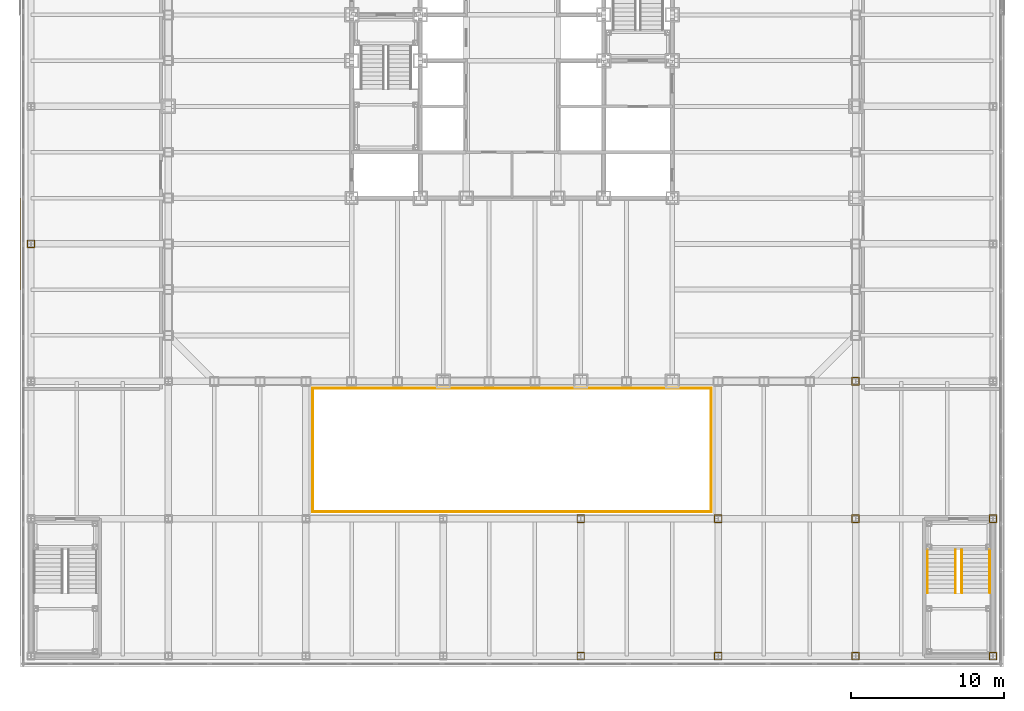
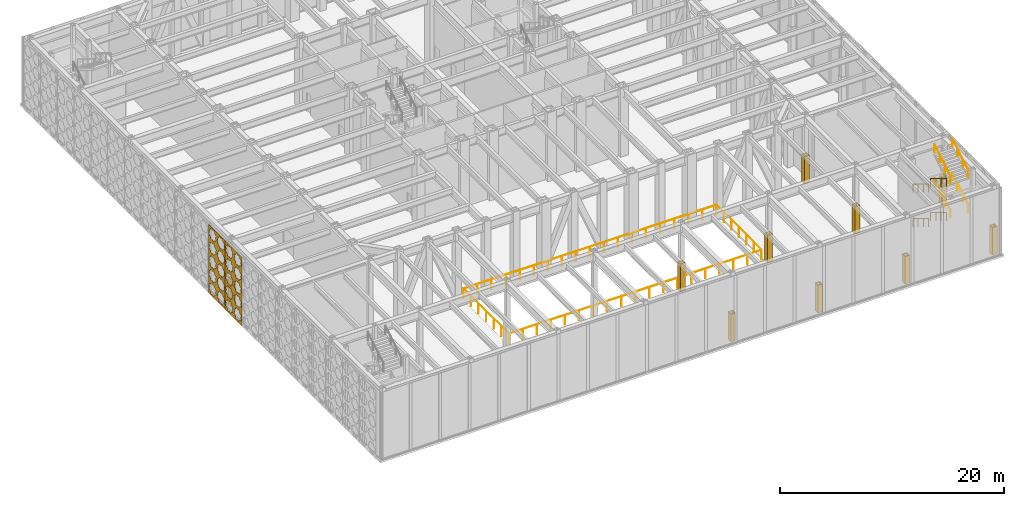
# One storey, part 26 of 34: 10 coverings, 10 railings, 2 shading devices.
"""IFC4 building model written with IfcOpenShell, lengths in metres."""

from ifc_helpers import new_model, si_unit, direction, frame, origin, origin_2d, place, context, subcontext, project, spatial, polyline, circle, outline, extrude, material, layer, layer_set, type_object, element, save


model = new_model("IFC4")

# Units and contexts
model_context = context("Model", 3, precision=1e-05, world=origin(), true_north=direction((0.0, 1.0)))
body_context = subcontext(model_context, "Body", "Model", "MODEL_VIEW")
ifc_project = project(units=[si_unit("LENGTHUNIT", "METRE"), si_unit("AREAUNIT", "SQUARE_METRE"), si_unit("VOLUMEUNIT", "CUBIC_METRE"), si_unit("PLANEANGLEUNIT", "RADIAN"), si_unit("MASSUNIT", "GRAM", prefix="KILO")], contexts=[model_context])

# Site, building, storey
site_placement = place(None, origin())
site = spatial("IfcSite", under=ifc_project, at=site_placement, CompositionType="ELEMENT")
building_placement = place(site_placement, origin())
building = spatial("IfcBuilding", under=site, at=building_placement, Name="Chuquiago Exchange Tower", CompositionType="ELEMENT")
storey_placement = place(building_placement, frame((0.0, 0.0, 6.0)))
storey = spatial("IfcBuildingStorey", under=building, at=storey_placement, Name="L01", CompositionType="ELEMENT", Elevation=6.0)

# Coverings
ifc_material_1 = material(Name="Pale metal sheet casing on rails", Category="aluminium")
ifc_layer_1 = layer(ifc_material_1, 0.050048828125)
ifc_layer_set_1 = layer_set([ifc_layer_1], Name="CS1 column casing 50")
covering_type = type_object("IfcCoveringType", Name="CS1 column casing 50", PredefinedType="CLADDING", material=ifc_layer_set_1)
covering_1_placement = place(storey_placement, origin())
element("IfcCovering", 1, at=covering_1_placement, inside=storey, type_object=covering_type, Name="Column casing L01", PredefinedType="CLADDING", context=body_context, shape_type="SweptSolid", body=[
    extrude(outline(polyline([(-9.255615234375, 8.73291015625), (-8.744384765625, 8.73291015625), (-8.744384765625, 9.26708984375), (-9.255615234375, 9.26708984375), (-9.255615234375, 8.73291015625)]), holes=[polyline([(-9.205810546875, 8.78271484375), (-9.205810546875, 9.21728515625), (-8.794189453125, 9.21728515625), (-8.794189453125, 8.78271484375), (-9.205810546875, 8.78271484375)])]), origin(), (0.0, 0.0, 1.0), 3.0),
])
covering_2_placement = place(storey_placement, origin())
element("IfcCovering", 2, at=covering_2_placement, inside=storey, type_object=covering_type, Name="Column casing L01", PredefinedType="CLADDING", context=body_context, shape_type="SweptSolid", body=[
    extrude(outline(polyline([(26.744384765625, -18.26708984375), (27.255615234375, -18.26708984375), (27.255615234375, -17.73291015625), (26.744384765625, -17.73291015625), (26.744384765625, -18.26708984375)]), holes=[polyline([(26.794189453125, -18.21728515625), (26.794189453125, -17.78271484375), (27.205810546875, -17.78271484375), (27.205810546875, -18.21728515625), (26.794189453125, -18.21728515625)])]), origin(), (0.0, 0.0, 1.0), 3.0),
])
covering_3_placement = place(storey_placement, origin())
element("IfcCovering", 3, at=covering_3_placement, inside=storey, type_object=covering_type, Name="Column casing L01", PredefinedType="CLADDING", context=body_context, shape_type="SweptSolid", body=[
    extrude(outline(polyline([(26.744384765625, -9.26708984375), (27.255615234375, -9.26708984375), (27.255615234375, -8.73291015625), (26.744384765625, -8.73291015625), (26.744384765625, -9.26708984375)]), holes=[polyline([(26.794189453125, -9.21728515625), (26.794189453125, -8.78271484375), (27.205810546875, -8.78271484375), (27.205810546875, -9.21728515625), (26.794189453125, -9.21728515625)])]), origin(), (0.0, 0.0, 1.0), 3.0),
])
covering_4_placement = place(storey_placement, origin())
element("IfcCovering", 4, at=covering_4_placement, inside=storey, type_object=covering_type, Name="Column casing L01", PredefinedType="CLADDING", context=body_context, shape_type="SweptSolid", body=[
    extrude(outline(polyline([(35.744384765625, -18.26708984375), (36.255615234375, -18.26708984375), (36.255615234375, -17.73291015625), (35.744384765625, -17.73291015625), (35.744384765625, -18.26708984375)]), holes=[polyline([(35.794189453125, -18.21728515625), (35.794189453125, -17.78271484375), (36.205810546875, -17.78271484375), (36.205810546875, -18.21728515625), (35.794189453125, -18.21728515625)])]), origin(), (0.0, 0.0, 1.0), 3.0),
])
covering_5_placement = place(storey_placement, origin())
element("IfcCovering", 5, at=covering_5_placement, inside=storey, type_object=covering_type, Name="Column casing L01", PredefinedType="CLADDING", context=body_context, shape_type="SweptSolid", body=[
    extrude(outline(polyline([(35.744384765625, -9.26708984375), (36.255615234375, -9.26708984375), (36.255615234375, -8.73291015625), (35.744384765625, -8.73291015625), (35.744384765625, -9.26708984375)]), holes=[polyline([(35.794189453125, -9.21728515625), (35.794189453125, -8.78271484375), (36.205810546875, -8.78271484375), (36.205810546875, -9.21728515625), (35.794189453125, -9.21728515625)])]), origin(), (0.0, 0.0, 1.0), 3.0),
])
covering_6_placement = place(storey_placement, origin())
element("IfcCovering", 6, at=covering_6_placement, inside=storey, type_object=covering_type, Name="Column casing L01", PredefinedType="CLADDING", context=body_context, shape_type="SweptSolid", body=[
    extrude(outline(polyline([(44.744384765625, -18.26708984375), (45.255615234375, -18.26708984375), (45.255615234375, -17.73291015625), (44.744384765625, -17.73291015625), (44.744384765625, -18.26708984375)]), holes=[polyline([(44.794189453125, -18.21728515625), (44.794189453125, -17.78271484375), (45.205810546875, -17.78271484375), (45.205810546875, -18.21728515625), (44.794189453125, -18.21728515625)])]), origin(), (0.0, 0.0, 1.0), 3.0),
])
covering_7_placement = place(storey_placement, origin())
element("IfcCovering", 7, at=covering_7_placement, inside=storey, type_object=covering_type, Name="Column casing L01", PredefinedType="CLADDING", context=body_context, shape_type="SweptSolid", body=[
    extrude(outline(polyline([(44.744384765625, -9.26708984375), (45.255615234375, -9.26708984375), (45.255615234375, -8.73291015625), (44.744384765625, -8.73291015625), (44.744384765625, -9.26708984375)]), holes=[polyline([(44.794189453125, -9.21728515625), (44.794189453125, -8.78271484375), (45.205810546875, -8.78271484375), (45.205810546875, -9.21728515625), (44.794189453125, -9.21728515625)])]), origin(), (0.0, 0.0, 1.0), 3.0),
])
covering_8_placement = place(storey_placement, origin())
element("IfcCovering", 8, at=covering_8_placement, inside=storey, type_object=covering_type, Name="Column casing L01", PredefinedType="CLADDING", context=body_context, shape_type="SweptSolid", body=[
    extrude(outline(polyline([(44.744384765625, -0.26708984375), (45.255615234375, -0.26708984375), (45.255615234375, 0.26708984375), (44.744384765625, 0.26708984375), (44.744384765625, -0.26708984375)]), holes=[polyline([(44.794189453125, -0.21728515625), (44.794189453125, 0.21728515625), (45.205810546875, 0.21728515625), (45.205810546875, -0.21728515625), (44.794189453125, -0.21728515625)])]), origin(), (0.0, 0.0, 1.0), 3.0),
])
covering_9_placement = place(storey_placement, origin())
element("IfcCovering", 9, at=covering_9_placement, inside=storey, type_object=covering_type, Name="Column casing L01", PredefinedType="CLADDING", context=body_context, shape_type="SweptSolid", body=[
    extrude(outline(polyline([(53.744384765625, -18.26708984375), (54.255615234375, -18.26708984375), (54.255615234375, -17.73291015625), (53.744384765625, -17.73291015625), (53.744384765625, -18.26708984375)]), holes=[polyline([(53.794189453125, -18.21728515625), (53.794189453125, -17.78271484375), (54.205810546875, -17.78271484375), (54.205810546875, -18.21728515625), (53.794189453125, -18.21728515625)])]), origin(), (0.0, 0.0, 1.0), 3.0),
])
covering_10_placement = place(storey_placement, origin())
element("IfcCovering", 10, at=covering_10_placement, inside=storey, type_object=covering_type, Name="Column casing L01", PredefinedType="CLADDING", context=body_context, shape_type="SweptSolid", body=[
    extrude(outline(polyline([(53.744384765625, -9.26708984375), (54.255615234375, -9.26708984375), (54.255615234375, -8.73291015625), (53.744384765625, -8.73291015625), (53.744384765625, -9.26708984375)]), holes=[polyline([(53.794189453125, -9.21728515625), (53.794189453125, -8.78271484375), (54.205810546875, -8.78271484375), (54.205810546875, -9.21728515625), (53.794189453125, -9.21728515625)])]), origin(), (0.0, 0.0, 1.0), 3.0),
])

# Railings
ifc_material_2 = material(Name="Pale metal guard with safety glass infill", Category="glass")
railing_type_1 = type_object("IfcRailingType", Name="GR1 guard 1100", PredefinedType="GUARDRAIL", material=ifc_material_2)
railing_1_placement = place(storey_placement, frame((9.449951171875, -0.449951171875, 0.0)))
element("IfcRailing", 11, at=railing_1_placement, inside=storey, type_object=railing_type_1, Name="Atrium guard L01 west and south", PredefinedType="GUARDRAIL", context=body_context, shape_type="SweptSolid", body=[
    extrude(circle(Radius=0.02392578125, at=origin_2d()), frame((0.0, 0.0, 1.076171875), z_axis=(0.0, -1.0, 0.0), x_axis=(1.0, 0.0, 0.0)), (0.0, 0.0, 1.0), 8.10009765625),
    extrude(circle(Radius=0.02392578125, at=origin_2d()), frame((0.0, -8.10009765625, 1.076171875), z_axis=(1.0, 0.0, 0.0), x_axis=(0.0, 1.0, 0.0)), (0.0, 0.0, 1.0), 26.10009765625),
    extrude(circle(Radius=0.02099609375, at=origin_2d()), origin(), (0.0, 0.0, 1.0), 1.052001953125),
    extrude(circle(Radius=0.02099609375, at=origin_2d()), frame((0.0, -1.35009765625, 0.0)), (0.0, 0.0, 1.0), 1.052001953125),
    extrude(circle(Radius=0.02099609375, at=origin_2d()), frame((0.0, -2.699951171875, 0.0)), (0.0, 0.0, 1.0), 1.052001953125),
    extrude(circle(Radius=0.02099609375, at=origin_2d()), frame((0.0, -4.050048828125, 0.0)), (0.0, 0.0, 1.0), 1.052001953125),
    extrude(circle(Radius=0.02099609375, at=origin_2d()), frame((0.0, -5.400146484375, 0.0)), (0.0, 0.0, 1.0), 1.052001953125),
    extrude(circle(Radius=0.02099609375, at=origin_2d()), frame((0.0, -6.75, 0.0)), (0.0, 0.0, 1.0), 1.052001953125),
    extrude(circle(Radius=0.02099609375, at=origin_2d()), frame((0.0, -8.10009765625, 0.0)), (0.0, 0.0, 1.0), 1.052001953125),
    extrude(circle(Radius=0.02099609375, at=origin_2d()), frame((1.449951171875, -8.10009765625, 0.0)), (0.0, 0.0, 1.0), 1.052001953125),
    extrude(circle(Radius=0.02099609375, at=origin_2d()), frame((2.89990234375, -8.10009765625, 0.0)), (0.0, 0.0, 1.0), 1.052001953125),
    extrude(circle(Radius=0.02099609375, at=origin_2d()), frame((4.35009765625, -8.10009765625, 0.0)), (0.0, 0.0, 1.0), 1.052001953125),
    extrude(circle(Radius=0.02099609375, at=origin_2d()), frame((5.800048828125, -8.10009765625, 0.0)), (0.0, 0.0, 1.0), 1.052001953125),
    extrude(circle(Radius=0.02099609375, at=origin_2d()), frame((7.25, -8.10009765625, 0.0)), (0.0, 0.0, 1.0), 1.052001953125),
    extrude(circle(Radius=0.02099609375, at=origin_2d()), frame((8.699951171875, -8.10009765625, 0.0)), (0.0, 0.0, 1.0), 1.052001953125),
    extrude(circle(Radius=0.02099609375, at=origin_2d()), frame((10.150146484375, -8.10009765625, 0.0)), (0.0, 0.0, 1.0), 1.052001953125),
    extrude(circle(Radius=0.02099609375, at=origin_2d()), frame((11.60009765625, -8.10009765625, 0.0)), (0.0, 0.0, 1.0), 1.052001953125),
    extrude(circle(Radius=0.02099609375, at=origin_2d()), frame((13.050048828125, -8.10009765625, 0.0)), (0.0, 0.0, 1.0), 1.052001953125),
    extrude(circle(Radius=0.02099609375, at=origin_2d()), frame((14.5, -8.10009765625, 0.0)), (0.0, 0.0, 1.0), 1.052001953125),
    extrude(circle(Radius=0.02099609375, at=origin_2d()), frame((15.949951171875, -8.10009765625, 0.0)), (0.0, 0.0, 1.0), 1.052001953125),
    extrude(circle(Radius=0.02099609375, at=origin_2d()), frame((17.400146484375, -8.10009765625, 0.0)), (0.0, 0.0, 1.0), 1.052001953125),
    extrude(circle(Radius=0.02099609375, at=origin_2d()), frame((18.85009765625, -8.10009765625, 0.0)), (0.0, 0.0, 1.0), 1.052001953125),
    extrude(circle(Radius=0.02099609375, at=origin_2d()), frame((20.300048828125, -8.10009765625, 0.0)), (0.0, 0.0, 1.0), 1.052001953125),
    extrude(circle(Radius=0.02099609375, at=origin_2d()), frame((21.75, -8.10009765625, 0.0)), (0.0, 0.0, 1.0), 1.052001953125),
    extrude(circle(Radius=0.02099609375, at=origin_2d()), frame((23.2001953125, -8.10009765625, 0.0)), (0.0, 0.0, 1.0), 1.052001953125),
    extrude(circle(Radius=0.02099609375, at=origin_2d()), frame((24.650146484375, -8.10009765625, 0.0)), (0.0, 0.0, 1.0), 1.052001953125),
    extrude(circle(Radius=0.02099609375, at=origin_2d()), frame((26.10009765625, -8.10009765625, 0.0)), (0.0, 0.0, 1.0), 1.052001953125),
])
railing_2_placement = place(storey_placement, frame((35.550048828125, -8.550048828125, 0.0)))
element("IfcRailing", 12, at=railing_2_placement, inside=storey, type_object=railing_type_1, Name="Atrium guard L01 east and north", PredefinedType="GUARDRAIL", context=body_context, shape_type="SweptSolid", body=[
    extrude(circle(Radius=0.02392578125, at=origin_2d()), frame((0.0, 0.0, 1.076171875), z_axis=(0.0, 1.0, 0.0), x_axis=(-1.0, 0.0, 0.0)), (0.0, 0.0, 1.0), 8.10009765625),
    extrude(circle(Radius=0.02392578125, at=origin_2d()), frame((0.0, 8.10009765625, 1.076171875), z_axis=(-1.0, 0.0, 0.0), x_axis=(0.0, -1.0, 0.0)), (0.0, 0.0, 1.0), 26.10009765625),
    extrude(circle(Radius=0.02099609375, at=origin_2d()), origin(), (0.0, 0.0, 1.0), 1.052001953125),
    extrude(circle(Radius=0.02099609375, at=origin_2d()), frame((0.0, 1.35009765625, 0.0)), (0.0, 0.0, 1.0), 1.052001953125),
    extrude(circle(Radius=0.02099609375, at=origin_2d()), frame((0.0, 2.699951171875, 0.0)), (0.0, 0.0, 1.0), 1.052001953125),
    extrude(circle(Radius=0.02099609375, at=origin_2d()), frame((0.0, 4.050048828125, 0.0)), (0.0, 0.0, 1.0), 1.052001953125),
    extrude(circle(Radius=0.02099609375, at=origin_2d()), frame((0.0, 5.400146484375, 0.0)), (0.0, 0.0, 1.0), 1.052001953125),
    extrude(circle(Radius=0.02099609375, at=origin_2d()), frame((0.0, 6.75, 0.0)), (0.0, 0.0, 1.0), 1.052001953125),
    extrude(circle(Radius=0.02099609375, at=origin_2d()), frame((0.0, 8.10009765625, 0.0)), (0.0, 0.0, 1.0), 1.052001953125),
    extrude(circle(Radius=0.02099609375, at=origin_2d()), frame((-1.449951171875, 8.10009765625, 0.0)), (0.0, 0.0, 1.0), 1.052001953125),
    extrude(circle(Radius=0.02099609375, at=origin_2d()), frame((-2.89990234375, 8.10009765625, 0.0)), (0.0, 0.0, 1.0), 1.052001953125),
    extrude(circle(Radius=0.02099609375, at=origin_2d()), frame((-4.35009765625, 8.10009765625, 0.0)), (0.0, 0.0, 1.0), 1.052001953125),
    extrude(circle(Radius=0.02099609375, at=origin_2d()), frame((-5.800048828125, 8.10009765625, 0.0)), (0.0, 0.0, 1.0), 1.052001953125),
    extrude(circle(Radius=0.02099609375, at=origin_2d()), frame((-7.25, 8.10009765625, 0.0)), (0.0, 0.0, 1.0), 1.052001953125),
    extrude(circle(Radius=0.02099609375, at=origin_2d()), frame((-8.699951171875, 8.10009765625, 0.0)), (0.0, 0.0, 1.0), 1.052001953125),
    extrude(circle(Radius=0.02099609375, at=origin_2d()), frame((-10.150146484375, 8.10009765625, 0.0)), (0.0, 0.0, 1.0), 1.052001953125),
    extrude(circle(Radius=0.02099609375, at=origin_2d()), frame((-11.60009765625, 8.10009765625, 0.0)), (0.0, 0.0, 1.0), 1.052001953125),
    extrude(circle(Radius=0.02099609375, at=origin_2d()), frame((-13.050048828125, 8.10009765625, 0.0)), (0.0, 0.0, 1.0), 1.052001953125),
    extrude(circle(Radius=0.02099609375, at=origin_2d()), frame((-14.5, 8.10009765625, 0.0)), (0.0, 0.0, 1.0), 1.052001953125),
    extrude(circle(Radius=0.02099609375, at=origin_2d()), frame((-15.949951171875, 8.10009765625, 0.0)), (0.0, 0.0, 1.0), 1.052001953125),
    extrude(circle(Radius=0.02099609375, at=origin_2d()), frame((-17.400146484375, 8.10009765625, 0.0)), (0.0, 0.0, 1.0), 1.052001953125),
    extrude(circle(Radius=0.02099609375, at=origin_2d()), frame((-18.85009765625, 8.10009765625, 0.0)), (0.0, 0.0, 1.0), 1.052001953125),
    extrude(circle(Radius=0.02099609375, at=origin_2d()), frame((-20.300048828125, 8.10009765625, 0.0)), (0.0, 0.0, 1.0), 1.052001953125),
    extrude(circle(Radius=0.02099609375, at=origin_2d()), frame((-21.75, 8.10009765625, 0.0)), (0.0, 0.0, 1.0), 1.052001953125),
    extrude(circle(Radius=0.02099609375, at=origin_2d()), frame((-23.2001953125, 8.10009765625, 0.0)), (0.0, 0.0, 1.0), 1.052001953125),
    extrude(circle(Radius=0.02099609375, at=origin_2d()), frame((-24.650146484375, 8.10009765625, 0.0)), (0.0, 0.0, 1.0), 1.052001953125),
    extrude(circle(Radius=0.02099609375, at=origin_2d()), frame((-26.10009765625, 8.10009765625, 0.0)), (0.0, 0.0, 1.0), 1.052001953125),
])
ifc_material_3 = material(Name="Pale metal handrail", Category="steel")
railing_type_2 = type_object("IfcRailingType", Name="HR1 handrail 900", PredefinedType="HANDRAIL", material=ifc_material_3)
for number, where, name in (
    (13, (49.7099609375, -11.050048828125, 0.17041015625), "Handrail PS2 L01 flight 1"),
    (14, (51.5400390625, -11.050048828125, 0.17041015625), "Handrail PS2 L01 flight 1"),
):
    element("IfcRailing", number, at=place(storey_placement, frame(where)), inside=storey, type_object=railing_type_2, Name=name, PredefinedType="HANDRAIL", context=body_context, shape_type="SweptSolid", body=[
        extrude(circle(Radius=0.02392578125, at=origin_2d()), frame((0.0, 0.0, 0.8759765625), z_axis=(0.0, -0.854169791009, 0.51999420009), x_axis=(1.0, 0.0, 0.0)), (0.0, 0.0, 1.0), 3.278076171875),
        extrude(circle(Radius=0.02099609375, at=origin_2d()), origin(), (0.0, 0.0, 1.0), 0.851806640625),
        extrude(circle(Radius=0.02099609375, at=origin_2d()), frame((0.0, -0.933349609375, 0.568115234375)), (0.0, 0.0, 1.0), 0.851806640625),
        extrude(circle(Radius=0.02099609375, at=origin_2d()), frame((0.0, -1.86669921875, 1.136474609375)), (0.0, 0.0, 1.0), 0.851806640625),
        extrude(circle(Radius=0.02099609375, at=origin_2d()), frame((0.0, -2.800048828125, 1.70458984375)), (0.0, 0.0, 1.0), 0.851806640625),
    ])
for number, where, name in (
    (15, (53.7900390625, -13.85009765625, 2.04541015625), "Handrail PS2 L01 flight 2"),
    (16, (51.9599609375, -13.85009765625, 2.04541015625), "Handrail PS2 L01 flight 2"),
):
    element("IfcRailing", number, at=place(storey_placement, frame(where)), inside=storey, type_object=railing_type_2, Name=name, PredefinedType="HANDRAIL", context=body_context, shape_type="SweptSolid", body=[
        extrude(circle(Radius=0.02392578125, at=origin_2d()), frame((0.0, 0.0, 0.8759765625), z_axis=(0.0, 0.854169791009, 0.51999420009), x_axis=(-1.0, 0.0, 0.0)), (0.0, 0.0, 1.0), 3.278076171875),
        extrude(circle(Radius=0.02099609375, at=origin_2d()), origin(), (0.0, 0.0, 1.0), 0.851806640625),
        extrude(circle(Radius=0.02099609375, at=origin_2d()), frame((0.0, 0.933349609375, 0.568115234375)), (0.0, 0.0, 1.0), 0.851806640625),
        extrude(circle(Radius=0.02099609375, at=origin_2d()), frame((0.0, 1.86669921875, 1.136474609375)), (0.0, 0.0, 1.0), 0.851806640625),
        extrude(circle(Radius=0.02099609375, at=origin_2d()), frame((0.0, 2.800048828125, 1.70458984375)), (0.0, 0.0, 1.0), 0.851806640625),
    ])
for number, where, name in (
    (17, (49.7099609375, -11.050048828125, 3.92041015625), "Handrail PS2 L01 flight 3"),
    (18, (51.5400390625, -11.050048828125, 3.92041015625), "Handrail PS2 L01 flight 3"),
):
    element("IfcRailing", number, at=place(storey_placement, frame(where)), inside=storey, type_object=railing_type_2, Name=name, PredefinedType="HANDRAIL", context=body_context, shape_type="SweptSolid", body=[
        extrude(circle(Radius=0.02392578125, at=origin_2d()), frame((0.0, 0.0, 0.8759765625), z_axis=(0.0, -0.854169791009, 0.51999420009), x_axis=(1.0, 0.0, 0.0)), (0.0, 0.0, 1.0), 3.278076171875),
        extrude(circle(Radius=0.02099609375, at=origin_2d()), origin(), (0.0, 0.0, 1.0), 0.851806640625),
        extrude(circle(Radius=0.02099609375, at=origin_2d()), frame((0.0, -0.933349609375, 0.568115234375)), (0.0, 0.0, 1.0), 0.851806640625),
        extrude(circle(Radius=0.02099609375, at=origin_2d()), frame((0.0, -1.86669921875, 1.136474609375)), (0.0, 0.0, 1.0), 0.851806640625),
        extrude(circle(Radius=0.02099609375, at=origin_2d()), frame((0.0, -2.800048828125, 1.70458984375)), (0.0, 0.0, 1.0), 0.851806640625),
    ])
for number, where, name in (
    (19, (53.7900390625, -13.85009765625, 5.79541015625), "Handrail PS2 L01 flight 4"),
    (20, (51.9599609375, -13.85009765625, 5.79541015625), "Handrail PS2 L01 flight 4"),
):
    element("IfcRailing", number, at=place(storey_placement, frame(where)), inside=storey, type_object=railing_type_2, Name=name, PredefinedType="HANDRAIL", context=body_context, shape_type="SweptSolid", body=[
        extrude(circle(Radius=0.02392578125, at=origin_2d()), frame((0.0, 0.0, 0.8759765625), z_axis=(0.0, 0.854169791009, 0.51999420009), x_axis=(-1.0, 0.0, 0.0)), (0.0, 0.0, 1.0), 3.278076171875),
        extrude(circle(Radius=0.02099609375, at=origin_2d()), origin(), (0.0, 0.0, 1.0), 0.851806640625),
        extrude(circle(Radius=0.02099609375, at=origin_2d()), frame((0.0, 0.933349609375, 0.568115234375)), (0.0, 0.0, 1.0), 0.851806640625),
        extrude(circle(Radius=0.02099609375, at=origin_2d()), frame((0.0, 1.86669921875, 1.136474609375)), (0.0, 0.0, 1.0), 0.851806640625),
        extrude(circle(Radius=0.02099609375, at=origin_2d()), frame((0.0, 2.800048828125, 1.70458984375)), (0.0, 0.0, 1.0), 0.851806640625),
    ])

# Shading devices
ifc_material_4 = material(Name="Pale metal, perforated in an eight-point star pattern", Category="aluminium")
ifc_layer_2 = layer(ifc_material_4, 0.02001953125)
ifc_layer_set_2 = layer_set([ifc_layer_2], Name="SC1 mashrabiya screen 20")
shading_device_type = type_object("IfcShadingDeviceType", Name="SC1 mashrabiya screen 20", PredefinedType="SHUTTER", material=ifc_layer_set_2)
shading_device_1_placement = place(storey_placement, frame((-9.699951171875, 8.989990234375, -0.199951171875), z_axis=(0.0, 0.0, 1.0), x_axis=(0.0, -1.0, 0.0)))
element("IfcShadingDevice", 21, at=shading_device_1_placement, inside=storey, type_object=shading_device_type, Name="Mashrabiya screen L01 W 9", PredefinedType="SHUTTER", context=body_context, shape_type="SweptSolid", body=[
    extrude(outline(polyline([(0.0, 0.0), (2.97998046875, 0.0), (2.97998046875, 7.5), (0.0, 7.5), (0.0, 0.0)]), holes=[polyline([(1.26953125, 0.77001953125), (1.378173828125, 1.0322265625), (1.115966796875, 1.140869140625), (1.00732421875, 1.403076171875), (0.7451171875, 1.29443359375), (0.482666015625, 1.403076171875), (0.3740234375, 1.140869140625), (0.11181640625, 1.0322265625), (0.220458984375, 0.77001953125), (0.11181640625, 0.507568359375), (0.3740234375, 0.39892578125), (0.482666015625, 0.13671875), (0.7451171875, 0.245361328125), (1.00732421875, 0.13671875), (1.115966796875, 0.39892578125), (1.378173828125, 0.507568359375), (1.26953125, 0.77001953125)]), polyline([(2.759521484375, 0.77001953125), (2.8681640625, 1.0322265625), (2.60595703125, 1.140869140625), (2.497314453125, 1.403076171875), (2.235107421875, 1.29443359375), (1.97265625, 1.403076171875), (1.864013671875, 1.140869140625), (1.601806640625, 1.0322265625), (1.71044921875, 0.77001953125), (1.601806640625, 0.507568359375), (1.864013671875, 0.39892578125), (1.97265625, 0.13671875), (2.235107421875, 0.245361328125), (2.497314453125, 0.13671875), (2.60595703125, 0.39892578125), (2.8681640625, 0.507568359375), (2.759521484375, 0.77001953125)]), polyline([(1.26953125, 2.260009765625), (1.378173828125, 2.522216796875), (1.115966796875, 2.630859375), (1.00732421875, 2.89306640625), (0.7451171875, 2.78466796875), (0.482666015625, 2.89306640625), (0.3740234375, 2.630859375), (0.11181640625, 2.522216796875), (0.220458984375, 2.260009765625), (0.11181640625, 1.99755859375), (0.3740234375, 1.888916015625), (0.482666015625, 1.626708984375), (0.7451171875, 1.7353515625), (1.00732421875, 1.626708984375), (1.115966796875, 1.888916015625), (1.378173828125, 1.99755859375), (1.26953125, 2.260009765625)]), polyline([(2.759521484375, 2.260009765625), (2.8681640625, 2.522216796875), (2.60595703125, 2.630859375), (2.497314453125, 2.89306640625), (2.235107421875, 2.78466796875), (1.97265625, 2.89306640625), (1.864013671875, 2.630859375), (1.601806640625, 2.522216796875), (1.71044921875, 2.260009765625), (1.601806640625, 1.99755859375), (1.864013671875, 1.888916015625), (1.97265625, 1.626708984375), (2.235107421875, 1.7353515625), (2.497314453125, 1.626708984375), (2.60595703125, 1.888916015625), (2.8681640625, 1.99755859375), (2.759521484375, 2.260009765625)]), polyline([(1.26953125, 3.75), (1.378173828125, 4.01220703125), (1.115966796875, 4.120849609375), (1.00732421875, 4.383056640625), (0.7451171875, 4.274658203125), (0.482666015625, 4.383056640625), (0.3740234375, 4.120849609375), (0.11181640625, 4.01220703125), (0.220458984375, 3.75), (0.11181640625, 3.487548828125), (0.3740234375, 3.37890625), (0.482666015625, 3.11669921875), (0.7451171875, 3.225341796875), (1.00732421875, 3.11669921875), (1.115966796875, 3.37890625), (1.378173828125, 3.487548828125), (1.26953125, 3.75)]), polyline([(2.759521484375, 3.75), (2.8681640625, 4.01220703125), (2.60595703125, 4.120849609375), (2.497314453125, 4.383056640625), (2.235107421875, 4.274658203125), (1.97265625, 4.383056640625), (1.864013671875, 4.120849609375), (1.601806640625, 4.01220703125), (1.71044921875, 3.75), (1.601806640625, 3.487548828125), (1.864013671875, 3.37890625), (1.97265625, 3.11669921875), (2.235107421875, 3.225341796875), (2.497314453125, 3.11669921875), (2.60595703125, 3.37890625), (2.8681640625, 3.487548828125), (2.759521484375, 3.75)]), polyline([(1.26953125, 5.239990234375), (1.378173828125, 5.502197265625), (1.115966796875, 5.61083984375), (1.00732421875, 5.873046875), (0.7451171875, 5.7646484375), (0.482666015625, 5.873046875), (0.3740234375, 5.61083984375), (0.11181640625, 5.502197265625), (0.220458984375, 5.239990234375), (0.11181640625, 4.9775390625), (0.3740234375, 4.868896484375), (0.482666015625, 4.606689453125), (0.7451171875, 4.71533203125), (1.00732421875, 4.606689453125), (1.115966796875, 4.868896484375), (1.378173828125, 4.9775390625), (1.26953125, 5.239990234375)]), polyline([(2.759521484375, 5.239990234375), (2.8681640625, 5.502197265625), (2.60595703125, 5.61083984375), (2.497314453125, 5.873046875), (2.235107421875, 5.7646484375), (1.97265625, 5.873046875), (1.864013671875, 5.61083984375), (1.601806640625, 5.502197265625), (1.71044921875, 5.239990234375), (1.601806640625, 4.9775390625), (1.864013671875, 4.868896484375), (1.97265625, 4.606689453125), (2.235107421875, 4.71533203125), (2.497314453125, 4.606689453125), (2.60595703125, 4.868896484375), (2.8681640625, 4.9775390625), (2.759521484375, 5.239990234375)]), polyline([(1.26953125, 6.72998046875), (1.378173828125, 6.9921875), (1.115966796875, 7.100830078125), (1.00732421875, 7.363037109375), (0.7451171875, 7.254638671875), (0.482666015625, 7.363037109375), (0.3740234375, 7.100830078125), (0.11181640625, 6.9921875), (0.220458984375, 6.72998046875), (0.11181640625, 6.467529296875), (0.3740234375, 6.35888671875), (0.482666015625, 6.0966796875), (0.7451171875, 6.205322265625), (1.00732421875, 6.0966796875), (1.115966796875, 6.35888671875), (1.378173828125, 6.467529296875), (1.26953125, 6.72998046875)]), polyline([(2.759521484375, 6.72998046875), (2.8681640625, 6.9921875), (2.60595703125, 7.100830078125), (2.497314453125, 7.363037109375), (2.235107421875, 7.254638671875), (1.97265625, 7.363037109375), (1.864013671875, 7.100830078125), (1.601806640625, 6.9921875), (1.71044921875, 6.72998046875), (1.601806640625, 6.467529296875), (1.864013671875, 6.35888671875), (1.97265625, 6.0966796875), (2.235107421875, 6.205322265625), (2.497314453125, 6.0966796875), (2.60595703125, 6.35888671875), (2.8681640625, 6.467529296875), (2.759521484375, 6.72998046875)])]), frame((0.0, 0.0, 0.0), z_axis=(0.0, -1.0, 0.0), x_axis=(1.0, 0.0, 0.0)), (0.0, 0.0, 1.0), 0.02001953125),
])
shading_device_2_placement = place(storey_placement, frame((-9.699951171875, 11.989990234375, -0.199951171875), z_axis=(0.0, 0.0, 1.0), x_axis=(0.0, -1.0, 0.0)))
element("IfcShadingDevice", 22, at=shading_device_2_placement, inside=storey, type_object=shading_device_type, Name="Mashrabiya screen L01 W 10", PredefinedType="SHUTTER", context=body_context, shape_type="SweptSolid", body=[
    extrude(outline(polyline([(0.0, 0.0), (2.97998046875, 0.0), (2.97998046875, 7.5), (0.0, 7.5), (0.0, 0.0)]), holes=[polyline([(1.26953125, 0.77001953125), (1.378173828125, 1.0322265625), (1.115966796875, 1.140869140625), (1.00732421875, 1.403076171875), (0.7451171875, 1.29443359375), (0.482666015625, 1.403076171875), (0.3740234375, 1.140869140625), (0.11181640625, 1.0322265625), (0.220458984375, 0.77001953125), (0.11181640625, 0.507568359375), (0.3740234375, 0.39892578125), (0.482666015625, 0.13671875), (0.7451171875, 0.245361328125), (1.00732421875, 0.13671875), (1.115966796875, 0.39892578125), (1.378173828125, 0.507568359375), (1.26953125, 0.77001953125)]), polyline([(2.759521484375, 0.77001953125), (2.8681640625, 1.0322265625), (2.60595703125, 1.140869140625), (2.497314453125, 1.403076171875), (2.235107421875, 1.29443359375), (1.97265625, 1.403076171875), (1.864013671875, 1.140869140625), (1.601806640625, 1.0322265625), (1.71044921875, 0.77001953125), (1.601806640625, 0.507568359375), (1.864013671875, 0.39892578125), (1.97265625, 0.13671875), (2.235107421875, 0.245361328125), (2.497314453125, 0.13671875), (2.60595703125, 0.39892578125), (2.8681640625, 0.507568359375), (2.759521484375, 0.77001953125)]), polyline([(1.26953125, 2.260009765625), (1.378173828125, 2.522216796875), (1.115966796875, 2.630859375), (1.00732421875, 2.89306640625), (0.7451171875, 2.78466796875), (0.482666015625, 2.89306640625), (0.3740234375, 2.630859375), (0.11181640625, 2.522216796875), (0.220458984375, 2.260009765625), (0.11181640625, 1.99755859375), (0.3740234375, 1.888916015625), (0.482666015625, 1.626708984375), (0.7451171875, 1.7353515625), (1.00732421875, 1.626708984375), (1.115966796875, 1.888916015625), (1.378173828125, 1.99755859375), (1.26953125, 2.260009765625)]), polyline([(2.759521484375, 2.260009765625), (2.8681640625, 2.522216796875), (2.60595703125, 2.630859375), (2.497314453125, 2.89306640625), (2.235107421875, 2.78466796875), (1.97265625, 2.89306640625), (1.864013671875, 2.630859375), (1.601806640625, 2.522216796875), (1.71044921875, 2.260009765625), (1.601806640625, 1.99755859375), (1.864013671875, 1.888916015625), (1.97265625, 1.626708984375), (2.235107421875, 1.7353515625), (2.497314453125, 1.626708984375), (2.60595703125, 1.888916015625), (2.8681640625, 1.99755859375), (2.759521484375, 2.260009765625)]), polyline([(1.26953125, 3.75), (1.378173828125, 4.01220703125), (1.115966796875, 4.120849609375), (1.00732421875, 4.383056640625), (0.7451171875, 4.274658203125), (0.482666015625, 4.383056640625), (0.3740234375, 4.120849609375), (0.11181640625, 4.01220703125), (0.220458984375, 3.75), (0.11181640625, 3.487548828125), (0.3740234375, 3.37890625), (0.482666015625, 3.11669921875), (0.7451171875, 3.225341796875), (1.00732421875, 3.11669921875), (1.115966796875, 3.37890625), (1.378173828125, 3.487548828125), (1.26953125, 3.75)]), polyline([(2.759521484375, 3.75), (2.8681640625, 4.01220703125), (2.60595703125, 4.120849609375), (2.497314453125, 4.383056640625), (2.235107421875, 4.274658203125), (1.97265625, 4.383056640625), (1.864013671875, 4.120849609375), (1.601806640625, 4.01220703125), (1.71044921875, 3.75), (1.601806640625, 3.487548828125), (1.864013671875, 3.37890625), (1.97265625, 3.11669921875), (2.235107421875, 3.225341796875), (2.497314453125, 3.11669921875), (2.60595703125, 3.37890625), (2.8681640625, 3.487548828125), (2.759521484375, 3.75)]), polyline([(1.26953125, 5.239990234375), (1.378173828125, 5.502197265625), (1.115966796875, 5.61083984375), (1.00732421875, 5.873046875), (0.7451171875, 5.7646484375), (0.482666015625, 5.873046875), (0.3740234375, 5.61083984375), (0.11181640625, 5.502197265625), (0.220458984375, 5.239990234375), (0.11181640625, 4.9775390625), (0.3740234375, 4.868896484375), (0.482666015625, 4.606689453125), (0.7451171875, 4.71533203125), (1.00732421875, 4.606689453125), (1.115966796875, 4.868896484375), (1.378173828125, 4.9775390625), (1.26953125, 5.239990234375)]), polyline([(2.759521484375, 5.239990234375), (2.8681640625, 5.502197265625), (2.60595703125, 5.61083984375), (2.497314453125, 5.873046875), (2.235107421875, 5.7646484375), (1.97265625, 5.873046875), (1.864013671875, 5.61083984375), (1.601806640625, 5.502197265625), (1.71044921875, 5.239990234375), (1.601806640625, 4.9775390625), (1.864013671875, 4.868896484375), (1.97265625, 4.606689453125), (2.235107421875, 4.71533203125), (2.497314453125, 4.606689453125), (2.60595703125, 4.868896484375), (2.8681640625, 4.9775390625), (2.759521484375, 5.239990234375)]), polyline([(1.26953125, 6.72998046875), (1.378173828125, 6.9921875), (1.115966796875, 7.100830078125), (1.00732421875, 7.363037109375), (0.7451171875, 7.254638671875), (0.482666015625, 7.363037109375), (0.3740234375, 7.100830078125), (0.11181640625, 6.9921875), (0.220458984375, 6.72998046875), (0.11181640625, 6.467529296875), (0.3740234375, 6.35888671875), (0.482666015625, 6.0966796875), (0.7451171875, 6.205322265625), (1.00732421875, 6.0966796875), (1.115966796875, 6.35888671875), (1.378173828125, 6.467529296875), (1.26953125, 6.72998046875)]), polyline([(2.759521484375, 6.72998046875), (2.8681640625, 6.9921875), (2.60595703125, 7.100830078125), (2.497314453125, 7.363037109375), (2.235107421875, 7.254638671875), (1.97265625, 7.363037109375), (1.864013671875, 7.100830078125), (1.601806640625, 6.9921875), (1.71044921875, 6.72998046875), (1.601806640625, 6.467529296875), (1.864013671875, 6.35888671875), (1.97265625, 6.0966796875), (2.235107421875, 6.205322265625), (2.497314453125, 6.0966796875), (2.60595703125, 6.35888671875), (2.8681640625, 6.467529296875), (2.759521484375, 6.72998046875)])]), frame((0.0, 0.0, 0.0), z_axis=(0.0, -1.0, 0.0), x_axis=(1.0, 0.0, 0.0)), (0.0, 0.0, 1.0), 0.02001953125),
])

save(model, "model.ifc")
